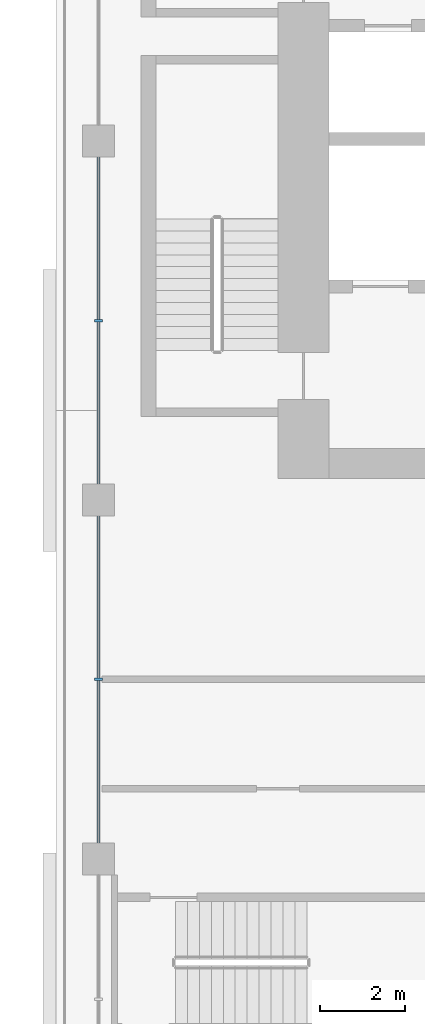
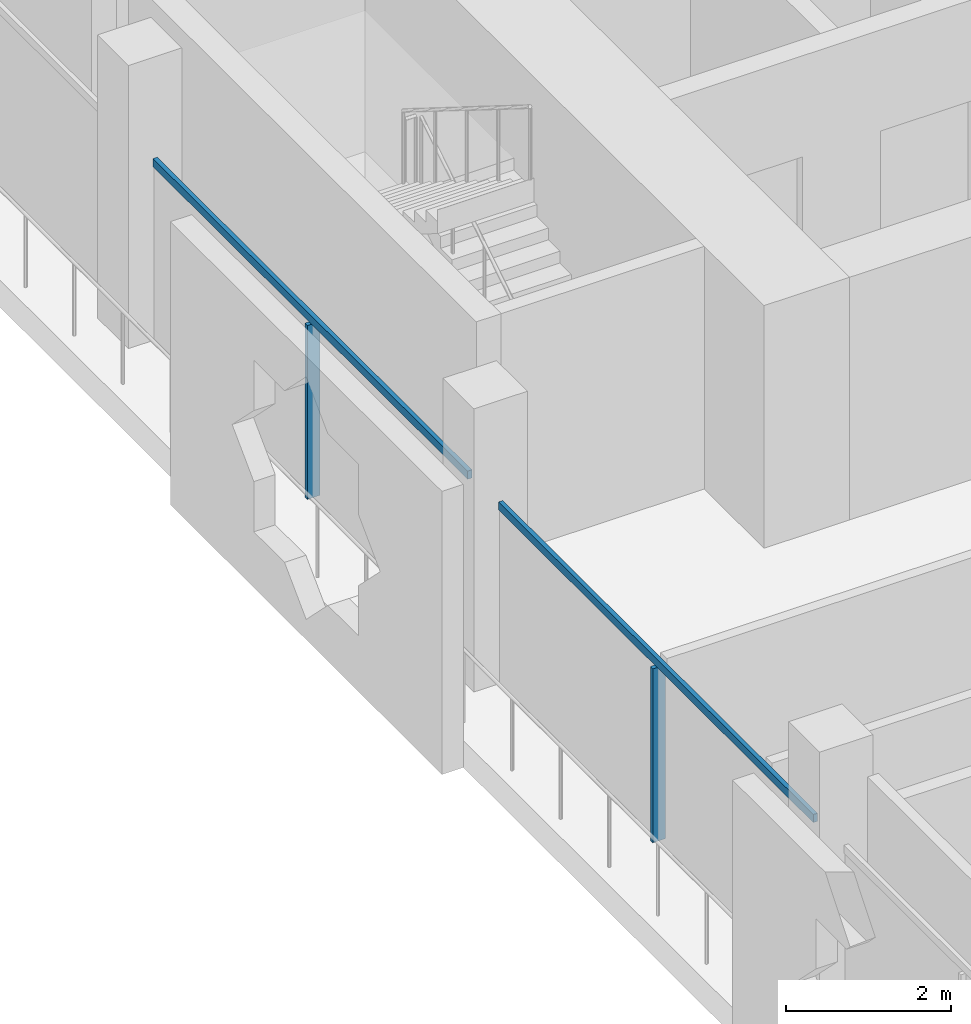
# One storey, part 3 of 20: 4 members, 1 element without a shape of its own.
"""IFC4 building model written with IfcOpenShell, lengths in metres."""

import ifcopenshell
import ifcopenshell.guid

model = None  # the IFC model being written
_history = None  # IfcOwnerHistory: only IFC2X3 demands one
_inside = {}  # id of a spatial element -> (the spatial element, [elements in it])
_under = {}  # id of a project, library or spatial element -> (it, [spatial elements below it])
_declared = {}  # id of a project -> (the project, [libraries it declares])
_typed = {}  # id of a type object -> (the type object, [elements of that type])
_made_of = {}  # id of a material, layer set ... -> (it, [elements and type objects made of it])


def new_model(schema):
    """Start an empty IFC model of exactly this schema.

    Asked for "IFC4X3", IfcOpenShell would pick the latest addendum, in which some entities
    have other attributes; the version numbers below select the first issue.
    IFC2X3 requires an IfcOwnerHistory on every rooted entity: one is made here for all.
    """
    global model, _history
    if schema == "IFC4X3":
        model = ifcopenshell.file(schema_version=(4, 3, 0, 0))
    else:
        model = ifcopenshell.file(schema=schema)
    _inside.clear()
    _under.clear()
    _declared.clear()
    _typed.clear()
    _made_of.clear()
    _history = None
    if model.schema == "IFC2X3":
        org = make("IfcOrganization", Name="unknown")
        user = make(
            "IfcPersonAndOrganization",
            ThePerson=make("IfcPerson", FamilyName="unknown"),
            TheOrganization=org,
        )
        app = make(
            "IfcApplication",
            ApplicationDeveloper=org,
            Version="unknown",
            ApplicationFullName="unknown",
            ApplicationIdentifier="unknown",
        )
        _history = make(
            "IfcOwnerHistory",
            OwningUser=user,
            OwningApplication=app,
            ChangeAction="ADDED",
            CreationDate=0,
        )
    return model


def make(cls, **values):
    """One entity of the class cls with the attributes given. An attribute that is None is left unset."""
    return model.create_entity(
        cls, **{name: value for name, value in values.items() if value is not None}
    )


def rooted(cls, **values):
    """An entity with a GlobalId (a new one), such as an element, a storey or a relation."""
    return make(cls, GlobalId=ifcopenshell.guid.new(), OwnerHistory=_history, **values)


def si_unit(unit_type, name, prefix=None):
    """IfcSIUnit, for example si_unit("LENGTHUNIT", "METRE", prefix="MILLI")."""
    return make("IfcSIUnit", UnitType=unit_type, Prefix=prefix, Name=name)


def assignment(units):
    """IfcUnitAssignment: the units of a project."""
    return None if units is None else make("IfcUnitAssignment", Units=units)


def point(xyz):
    """IfcCartesianPoint."""
    return None if xyz is None else make("IfcCartesianPoint", Coordinates=xyz)


def direction(xyz):
    """IfcDirection."""
    return None if xyz is None else make("IfcDirection", DirectionRatios=xyz)


def frame(location, z_axis=None, x_axis=None):
    """IfcAxis2Placement3D, a coordinate frame: its origin and axes. An axis left out is left unset."""
    return make(
        "IfcAxis2Placement3D",
        Location=point(location),
        Axis=direction(z_axis),
        RefDirection=direction(x_axis),
    )


def frame_2d(location, x_axis=None):
    """IfcAxis2Placement2D, a coordinate frame in the plane: its origin and x axis."""
    return make(
        "IfcAxis2Placement2D", Location=point(location), RefDirection=direction(x_axis)
    )


def origin():
    """The frame at (0, 0, 0) with its axes left unset."""
    return frame((0.0, 0.0, 0.0))


def origin_2d():
    """The frame at (0, 0) in the plane with its x axis left unset."""
    return frame_2d((0.0, 0.0))


def place(relative_to, where):
    """IfcLocalPlacement: puts the frame where relative to a parent placement (None: the world)."""
    return make(
        "IfcLocalPlacement", PlacementRelTo=relative_to, RelativePlacement=where
    )


def context(
    kind, dimensions, precision=None, world=None, true_north=None, identifier=None
):
    """IfcGeometricRepresentationContext, for example the 3D "Model" context."""
    return make(
        "IfcGeometricRepresentationContext",
        ContextIdentifier=identifier,
        ContextType=kind,
        CoordinateSpaceDimension=dimensions,
        Precision=precision,
        WorldCoordinateSystem=world,
        TrueNorth=true_north,
    )


def subcontext(parent, identifier, kind, view, scale=None):
    """IfcGeometricRepresentationSubContext, for example "Body" below "Model"."""
    return make(
        "IfcGeometricRepresentationSubContext",
        ContextIdentifier=identifier,
        ContextType=kind,
        ParentContext=parent,
        TargetScale=scale,
        TargetView=view,
    )


def project(units=None, contexts=None):
    """IfcProject with its units and contexts."""
    return rooted(
        "IfcProject",
        Name="project",
        RepresentationContexts=contexts,
        UnitsInContext=assignment(units),
    )


def spatial(cls, under=None, at=None, **own):
    """A site, building, storey or space (cls), placed at a placement, below another one or the project."""
    s = rooted(cls, ObjectPlacement=at, **own)
    if under is not None:
        _under.setdefault(under.id(), (under, []))[1].append(s)
    return s


def profile(cls, at=None, kind="AREA", **sizes):
    """A parametric profile (cls). Its sizes go by their IFC names, for example OverallWidth=200.0."""
    return make(cls, ProfileType=kind, Position=at, **sizes)


def rectangle(**sizes):
    """IfcRectangleProfileDef."""
    return profile("IfcRectangleProfileDef", **sizes)


def extrude(swept, where, along, depth):
    """IfcExtrudedAreaSolid: the profile swept, set in the frame where, extruded along a direction by depth."""
    return make(
        "IfcExtrudedAreaSolid",
        SweptArea=swept,
        Position=where,
        ExtrudedDirection=direction(along),
        Depth=depth,
    )


def shape(context_of_items, identifier, shape_type, items):
    """IfcShapeRepresentation: the items that make up one representation, for example the "Body"."""
    return make(
        "IfcShapeRepresentation",
        ContextOfItems=context_of_items,
        RepresentationIdentifier=identifier,
        RepresentationType=shape_type,
        Items=items,
    )


def material(Name=None, Category=None):
    """IfcMaterial."""
    return make("IfcMaterial", Name=Name, Category=Category)


def layer(
    of_material, thickness, ventilated=None, Name=None, Category=None, Priority=None
):
    """IfcMaterialLayer: one layer of a wall or slab, of a material (None: an air gap)."""
    return make(
        "IfcMaterialLayer",
        Material=of_material,
        LayerThickness=thickness,
        IsVentilated=ventilated,
        Name=Name,
        Category=Category,
        Priority=Priority,
    )


def layer_set(layers, Name=None):
    """IfcMaterialLayerSet."""
    return make("IfcMaterialLayerSet", MaterialLayers=layers, LayerSetName=Name)


def material_profile(
    of_material, cross_section, Name=None, Category=None, Priority=None
):
    """IfcMaterialProfile: a cross section and its material."""
    return make(
        "IfcMaterialProfile",
        Name=Name,
        Material=of_material,
        Profile=cross_section,
        Priority=Priority,
        Category=Category,
    )


def profile_set(profiles, Name=None, composite=None):
    """IfcMaterialProfileSet."""
    return make(
        "IfcMaterialProfileSet",
        Name=Name,
        MaterialProfiles=profiles,
        CompositeProfile=composite,
    )


def made_of(thing, what):
    """Note that an element or type object is made of a material, layer set ...; save() writes the relation."""
    if what is not None:
        _made_of.setdefault(what.id(), (what, []))[1].append(thing)
    return thing


def type_object(cls, material=None, **own):
    """A type object (cls), such as IfcWallType, which elements share."""
    return made_of(rooted(cls, **own), material)


def element(
    cls,
    number,
    at=None,
    inside=None,
    cuts=None,
    type_object=None,
    material=None,
    context=None,
    identifier="Body",
    shape_type=None,
    held_by="IfcProductDefinitionShape",
    body=None,
    shapes=None,
    **own,
):
    """One element of the class cls, such as IfcWall. Its Tag is "e" and its number.

    at: its placement. inside: the storey or other place that contains it. cuts: it is an
    opening in that element (IfcRelVoidsElement). A single representation is given by context,
    identifier, shape_type and body (its items); several are given by shapes. held_by: the class
    of the entity that holds the representations. save() writes the other relations.
    """
    e = rooted(cls, Tag="e%d" % number, ObjectPlacement=at, **own)
    if body is not None:
        shapes = [shape(context, identifier, shape_type, body)]
    if shapes is not None:
        e.Representation = make(held_by, Representations=shapes)
    if inside is not None:
        _inside.setdefault(inside.id(), (inside, []))[1].append(e)
    if cuts is not None:
        rooted(
            "IfcRelVoidsElement", RelatingBuildingElement=cuts, RelatedOpeningElement=e
        )
    if type_object is not None:
        _typed.setdefault(type_object.id(), (type_object, []))[1].append(e)
    return made_of(e, material)


def aggregate(whole, parts):
    """IfcRelAggregates: a whole, such as a stair, and the parts it consists of."""
    return rooted("IfcRelAggregates", RelatingObject=whole, RelatedObjects=parts)


def save(model, path):
    """Write the relations noted so far, then the file.

    IfcRelAggregates (storeys below a building ...), IfcRelContainedInSpatialStructure (elements
    in a storey), IfcRelDefinesByType, IfcRelAssociatesMaterial and IfcRelDeclares: one each for
    every whole, place, type object, material and project.
    """
    for whole, parts in _under.values():
        aggregate(whole, parts)
    for where, things in _inside.values():
        rooted(
            "IfcRelContainedInSpatialStructure",
            RelatedElements=things,
            RelatingStructure=where,
        )
    for kind, things in _typed.values():
        rooted("IfcRelDefinesByType", RelatedObjects=things, RelatingType=kind)
    for what, things in _made_of.values():
        rooted("IfcRelAssociatesMaterial", RelatedObjects=things, RelatingMaterial=what)
    for by, libraries in _declared.values():
        rooted("IfcRelDeclares", RelatingContext=by, RelatedDefinitions=libraries)
    model.write(path)


model = new_model("IFC4")

# Units and contexts
model_context = context("Model", 3, precision=1e-05, world=origin(), true_north=direction((0.0, 1.0)))
body_context = subcontext(model_context, "Body", "Model", "MODEL_VIEW")
ifc_project = project(units=[si_unit("LENGTHUNIT", "METRE"), si_unit("AREAUNIT", "SQUARE_METRE"), si_unit("VOLUMEUNIT", "CUBIC_METRE"), si_unit("PLANEANGLEUNIT", "RADIAN"), si_unit("MASSUNIT", "GRAM", prefix="KILO")], contexts=[model_context])

# Site, building, storey
site_placement = place(None, origin())
site = spatial("IfcSite", under=ifc_project, at=site_placement, CompositionType="ELEMENT")
building_placement = place(site_placement, origin())
building = spatial("IfcBuilding", under=site, at=building_placement, Name="Kawkab Arch Medical Tower", CompositionType="ELEMENT")
storey_placement = place(building_placement, frame((0.0, 0.0, 277.60009765625)))
storey = spatial("IfcBuildingStorey", under=building, at=storey_placement, Name="L64", CompositionType="ELEMENT", Elevation=277.60009765625)

# Curtain wall, members
ifc_material_1 = material(Name="Bronze anodised aluminium curtain wall frame", Category="aluminium")
ifc_layer = layer(ifc_material_1, 0.159912109375)
ifc_layer_set = layer_set([ifc_layer], Name="Bronze anodised aluminium curtain wall frame")
curtain_wall_type = type_object("IfcCurtainWallType", Name="CW1 ward curtain wall", PredefinedType="NOTDEFINED", material=ifc_layer_set)
curtain_wall_placement = place(storey_placement, origin())
curtain_wall = element("IfcCurtainWall", 1, at=curtain_wall_placement, inside=storey, type_object=curtain_wall_type, Name="CW1 Ward curtain wall R12", PredefinedType="NOTDEFINED")
ifc_material_2 = material(Name="Bronze anodised aluminium curtain wall frame", Category="aluminium")
ifc_material_profile_1 = material_profile(ifc_material_2, rectangle(XDim=0.179931640625, YDim=0.06005859375, at=origin_2d()), Name="AL 60x180")
ifc_profile_set_1 = profile_set([ifc_material_profile_1], Name="Bronze anodised aluminium curtain wall frame")
member_type_1 = type_object("IfcMemberType", Name="CW1 mullion 60 x 180", PredefinedType="MULLION", material=ifc_profile_set_1)
member_1_placement = place(storey_placement, frame((0.0, -21.0, 0.0), z_axis=(0.0, 0.0, 1.0), x_axis=(1.0, 0.0, 0.0)))
member_1 = element("IfcMember", 2, at=member_1_placement, type_object=member_type_1, Name="CW1 mullion 2.1", PredefinedType="MULLION", context=body_context, shape_type="SweptSolid", body=[
    extrude(rectangle(XDim=0.179931640625, YDim=0.06005859375, at=origin_2d()), origin(), (0.0, 0.0, 1.0), 2.579833984375),
])
member_2_placement = place(storey_placement, frame((0.0, -29.39990234375, 0.0), z_axis=(0.0, 0.0, 1.0), x_axis=(1.0, 0.0, 0.0)))
member_2 = element("IfcMember", 3, at=member_2_placement, type_object=member_type_1, Name="CW1 mullion 3.1", PredefinedType="MULLION", context=body_context, shape_type="SweptSolid", body=[
    extrude(rectangle(XDim=0.179931640625, YDim=0.06005859375, at=origin_2d()), origin(), (0.0, 0.0, 1.0), 2.579833984375),
])
ifc_material_3 = material(Name="Bronze anodised aluminium curtain wall frame", Category="aluminium")
ifc_material_profile_2 = material_profile(ifc_material_3, rectangle(XDim=0.06005859375, YDim=0.1201171875, at=origin_2d()), Name="AL 60x120")
ifc_profile_set_2 = profile_set([ifc_material_profile_2], Name="Bronze anodised aluminium curtain wall frame")
member_type_2 = type_object("IfcMemberType", Name="CW1 transom 120 x 60", PredefinedType="USERDEFINED", material=ifc_profile_set_2)
member_3_placement = place(storey_placement, frame((0.0, -17.175048828125, 2.639892578125), z_axis=(0.0, -1.0, 0.0), x_axis=(1.0, 0.0, 0.0)))
member_3 = element("IfcMember", 4, at=member_3_placement, type_object=member_type_2, Name="CW1 transom 2", ObjectType="TRANSOM", PredefinedType="USERDEFINED", context=body_context, shape_type="SweptSolid", body=[
    extrude(rectangle(XDim=0.06005859375, YDim=0.1201171875, at=origin_2d()), origin(), (0.0, 0.0, 1.0), 7.64990234375),
])
member_4_placement = place(storey_placement, frame((0.0, -25.574951171875, 2.639892578125), z_axis=(0.0, -1.0, 0.0), x_axis=(1.0, 0.0, 0.0)))
member_4 = element("IfcMember", 5, at=member_4_placement, type_object=member_type_2, Name="CW1 transom 3", ObjectType="TRANSOM", PredefinedType="USERDEFINED", context=body_context, shape_type="SweptSolid", body=[
    extrude(rectangle(XDim=0.06005859375, YDim=0.1201171875, at=origin_2d()), origin(), (0.0, 0.0, 1.0), 7.650146484375),
])
aggregate(curtain_wall, [member_3, member_1, member_4, member_2])

save(model, "model.ifc")
